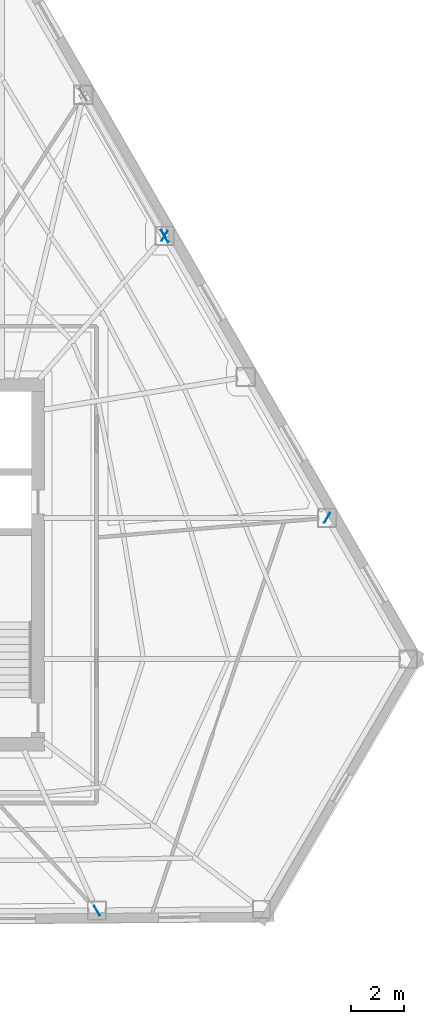
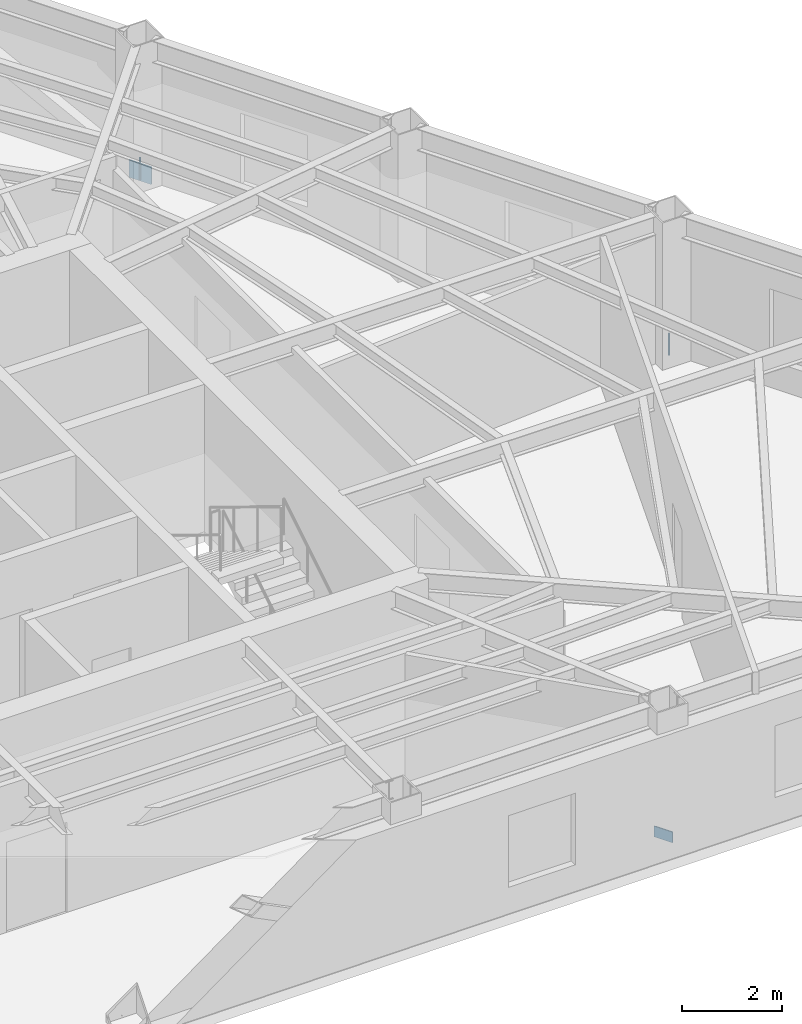
# One storey, part 6 of 12: 4 plates.
"""IFC4 building model written with IfcOpenShell, lengths in metres."""

from ifc_helpers import new_model, si_unit, direction, frame, origin, origin_2d, place, context, subcontext, project, spatial, rectangle, extrude, material, layer, layer_set, type_object, element, save


model = new_model("IFC4")

# Units and contexts
model_context = context("Model", 3, precision=1e-05, world=origin(), true_north=direction((0.0, 1.0)))
body_context = subcontext(model_context, "Body", "Model", "MODEL_VIEW")
ifc_project = project(units=[si_unit("LENGTHUNIT", "METRE"), si_unit("AREAUNIT", "SQUARE_METRE"), si_unit("VOLUMEUNIT", "CUBIC_METRE"), si_unit("PLANEANGLEUNIT", "RADIAN"), si_unit("MASSUNIT", "GRAM", prefix="KILO")], contexts=[model_context])

# Site, building, storey
site_placement = place(None, origin())
site = spatial("IfcSite", under=ifc_project, at=site_placement, CompositionType="ELEMENT")
building_placement = place(site_placement, origin())
building = spatial("IfcBuilding", under=site, at=building_placement, Name="Kavelnor Concourse Tower", CompositionType="ELEMENT")
storey_placement = place(building_placement, frame((0.0, 0.0, 143.25)))
storey = spatial("IfcBuildingStorey", under=building, at=storey_placement, Name="L36", CompositionType="ELEMENT", Elevation=143.25)

# Plates
ifc_material = material(Name="Steel Grade 350", Category="steel")
ifc_layer_1 = layer(ifc_material, 0.031982421875, Name="Steel Grade 350")
ifc_layer_set_1 = layer_set([ifc_layer_1], Name="Steel Grade 350")
plate_type_1 = type_object("IfcPlateType", Name="PL-GUSSET-TUBE-Z1", PredefinedType="USERDEFINED", material=ifc_layer_set_1)
plate_placement = place(storey_placement, frame((52.527587890625, 28.436767578125, 0.010009765625), z_axis=(0.0, 0.0, 1.0), x_axis=(-0.499092826328, 0.866548527613, 0.0)))
element("IfcPlate", 1, at=plate_placement, inside=storey, type_object=plate_type_1, Name="L36 Tube Brace Gusset GP3 F2-B3 End Gusset A", ObjectType="GUSSET_PLATE", PredefinedType="USERDEFINED", context=body_context, shape_type="SweptSolid", body=[
    extrude(rectangle(XDim=0.52001953125, YDim=0.031982421875, at=origin_2d()), origin(), (0.0, 0.0, 1.0), 0.419921875),
])
ifc_layer_2 = layer(ifc_material, 0.02490234375, Name="Steel Grade 350")
ifc_layer_set_2 = layer_set([ifc_layer_2], Name="Steel Grade 350")
plate_type_2 = type_object("IfcPlateType", Name="PL-SPLICE-FLANGE", PredefinedType="SHEET", material=ifc_layer_set_2)
for number, where, z_axis, x_axis, name in (
    (2, (49.982177734375, 3.10009765625, 0.169921875), (0.0, 0.0, 1.0), (-0.5, 0.866025403784, 0.0), "L36 Column Flange Splice Plate F1-B5"),
    (3, (58.624755859375, 17.850341796875, 0.169921875), (0.0, 0.0, 1.0), (-0.5, -0.866025403784, 0.0), "L36 Column Flange Splice Plate F2-B1"),
    (4, (52.521728515625, 28.447021484375, 0.169921875), (0.0, 0.0, 1.0), (-0.5, -0.866025403784, 0.0), "L36 Column Flange Splice Plate F2-B3"),
):
    element("IfcPlate", number, at=place(storey_placement, frame(where, z_axis=z_axis, x_axis=x_axis)), inside=storey, type_object=plate_type_2, Name=name, PredefinedType="SHEET", context=body_context, shape_type="SweptSolid", body=[
        extrude(rectangle(XDim=0.419921875, YDim=0.02490234375, at=origin_2d()), origin(), (0.0, 0.0, 1.0), 0.260009765625),
    ])

save(model, "model.ifc")
